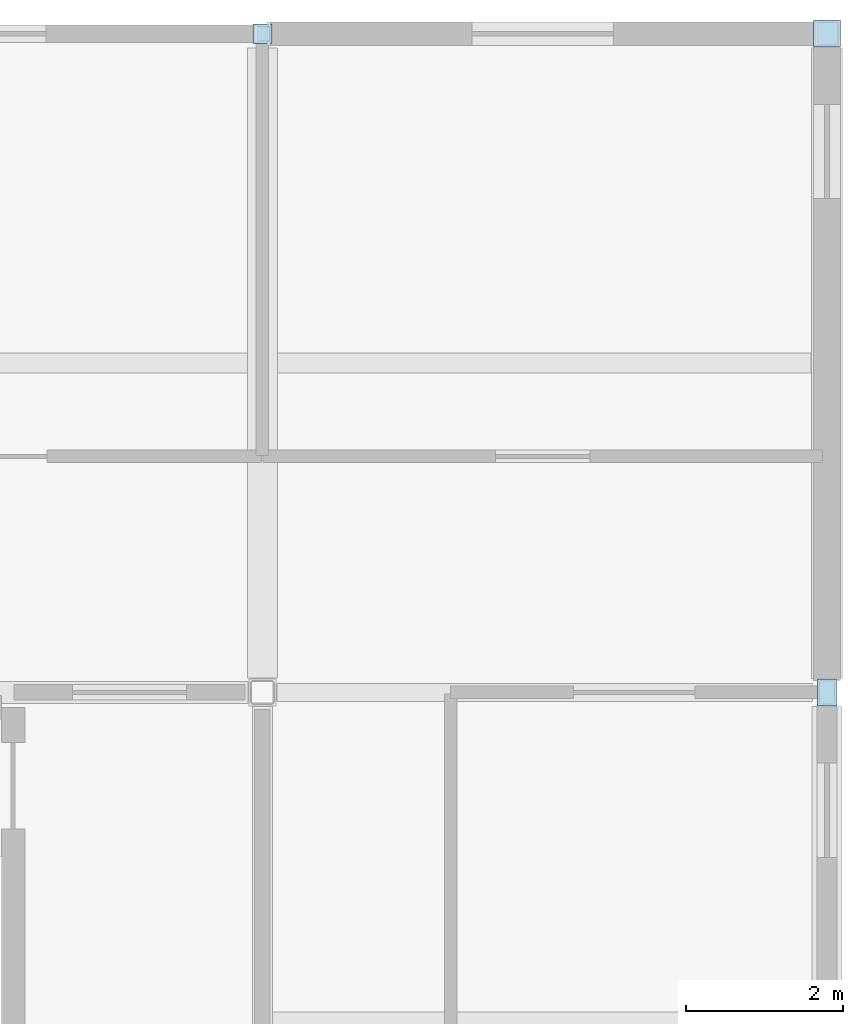
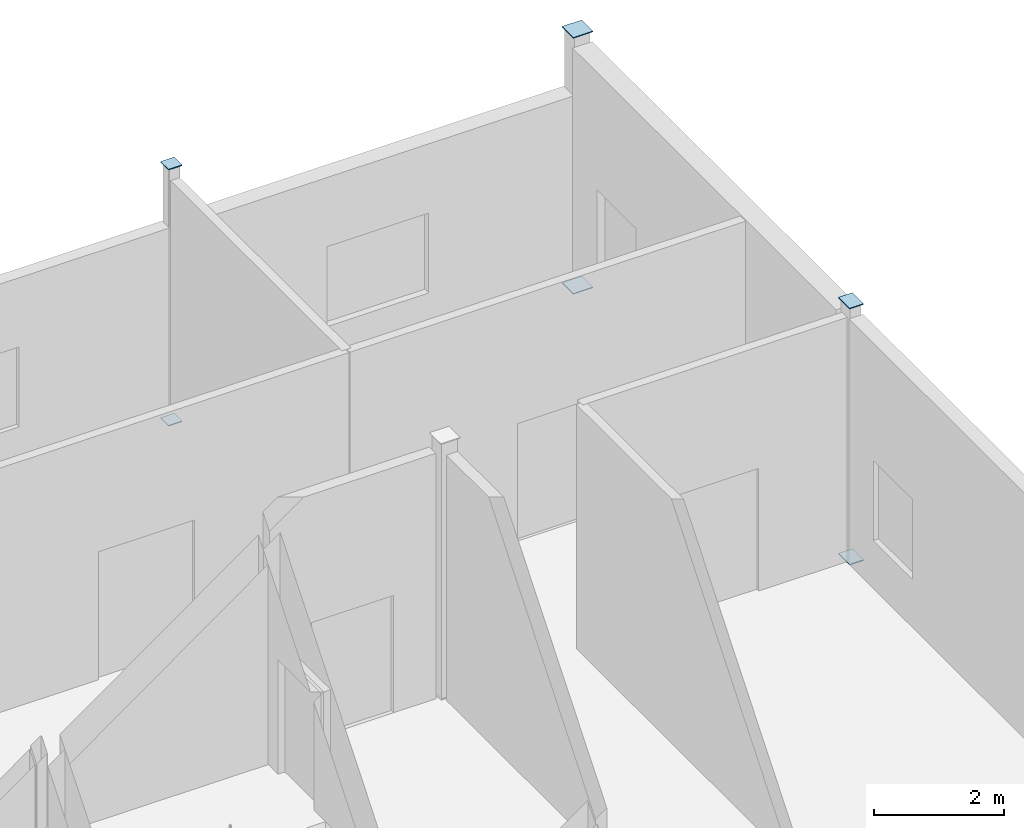
# One storey, part 18 of 27: 6 plates.
"""IFC4 building model written with IfcOpenShell, lengths in metres."""

from ifc_helpers import new_model, si_unit, direction, frame, origin, origin_2d, place, context, subcontext, project, spatial, rectangle, extrude, material, layer, layer_set, type_object, element, save


model = new_model("IFC4")

# Units and contexts
model_context = context("Model", 3, precision=1e-05, world=origin(), true_north=direction((0.0, 1.0)))
body_context = subcontext(model_context, "Body", "Model", "MODEL_VIEW")
ifc_project = project(units=[si_unit("LENGTHUNIT", "METRE"), si_unit("AREAUNIT", "SQUARE_METRE"), si_unit("VOLUMEUNIT", "CUBIC_METRE"), si_unit("PLANEANGLEUNIT", "RADIAN"), si_unit("MASSUNIT", "GRAM", prefix="KILO")], contexts=[model_context])

# Site, building, storey
site_placement = place(None, origin())
site = spatial("IfcSite", under=ifc_project, at=site_placement, CompositionType="ELEMENT")
building_placement = place(site_placement, origin())
building = spatial("IfcBuilding", under=site, at=building_placement, Name="Calvrana Isthmian Art Gallery", CompositionType="ELEMENT")
storey_placement = place(building_placement, frame((0.0, 0.0, 24.60009765625)))
storey = spatial("IfcBuildingStorey", under=building, at=storey_placement, Name="L05", CompositionType="ELEMENT", Elevation=24.60009765625)

# Plates
ifc_material = material(Name="Steel ASTM A572 Gr 50", Category="steel")
ifc_layer = layer(ifc_material, 0.01611328125, Name="Steel ASTM A572 Gr 50")
ifc_layer_set = layer_set([ifc_layer], Name="Steel ASTM A572 Gr 50")
plate_type = type_object("IfcPlateType", Name="PL-CAP-16", PredefinedType="SHEET", material=ifc_layer_set)
for number, where, z_axis, x_axis, name in (
    (1, (134.39990234375, 46.800048828125, -0.008056640625), (0.0, 0.0, 1.0), (1.0, 0.0, 0.0), "Hollow section end cap plate 317"),
    (2, (134.39990234375, 46.800048828125, 4.791748046875), (0.0, 0.0, 1.0), (1.0, 0.0, 0.0), "Hollow section end cap plate 318"),
):
    element("IfcPlate", number, at=place(storey_placement, frame(where, z_axis=z_axis, x_axis=x_axis)), inside=storey, type_object=plate_type, Name=name, PredefinedType="SHEET", context=body_context, shape_type="SweptSolid", body=[
        extrude(rectangle(XDim=0.2431640625, YDim=0.2431640625, at=origin_2d()), origin(), (0.0, 0.0, 1.0), 0.01611328125),
    ])
for number, where, z_axis, x_axis, name in (
    (3, (141.60009765625, 38.39990234375, -0.008056640625), (0.0, 0.0, 1.0), (1.0, 0.0, 0.0), "Hollow section end cap plate 329"),
    (4, (141.60009765625, 38.39990234375, 4.791748046875), (0.0, 0.0, 1.0), (1.0, 0.0, 0.0), "Hollow section end cap plate 330"),
):
    element("IfcPlate", number, at=place(storey_placement, frame(where, z_axis=z_axis, x_axis=x_axis)), inside=storey, type_object=plate_type, Name=name, PredefinedType="SHEET", context=body_context, shape_type="SweptSolid", body=[
        extrude(rectangle(XDim=0.2431640625, YDim=0.3447265625, at=origin_2d()), origin(), (0.0, 0.0, 1.0), 0.01611328125),
    ])
for number, where, z_axis, x_axis, name in (
    (5, (141.60009765625, 46.800048828125, -0.008056640625), (0.0, 0.0, 1.0), (1.0, 0.0, 0.0), "Hollow section end cap plate 331"),
    (6, (141.60009765625, 46.800048828125, 4.791748046875), (0.0, 0.0, 1.0), (1.0, 0.0, 0.0), "Hollow section end cap plate 332"),
):
    element("IfcPlate", number, at=place(storey_placement, frame(where, z_axis=z_axis, x_axis=x_axis)), inside=storey, type_object=plate_type, Name=name, PredefinedType="SHEET", context=body_context, shape_type="SweptSolid", body=[
        extrude(rectangle(XDim=0.3447265625, YDim=0.3447265625, at=origin_2d()), origin(), (0.0, 0.0, 1.0), 0.01611328125),
    ])

save(model, "model.ifc")
